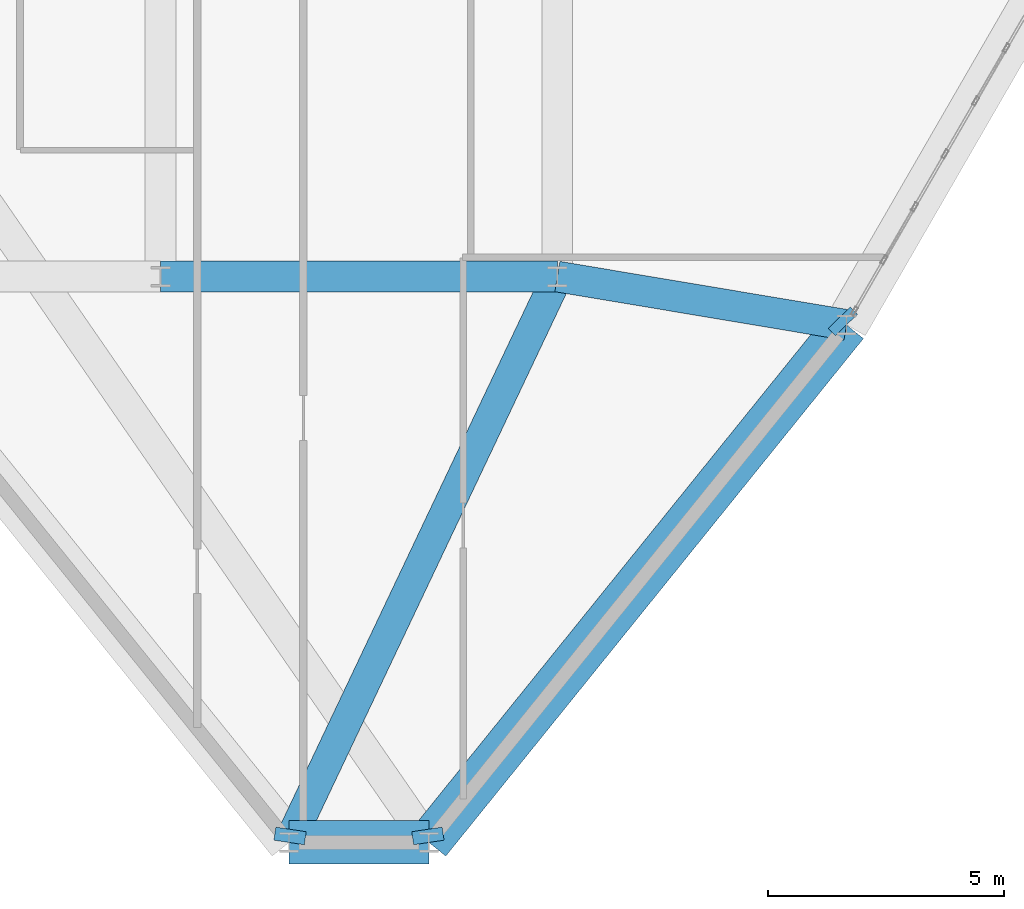
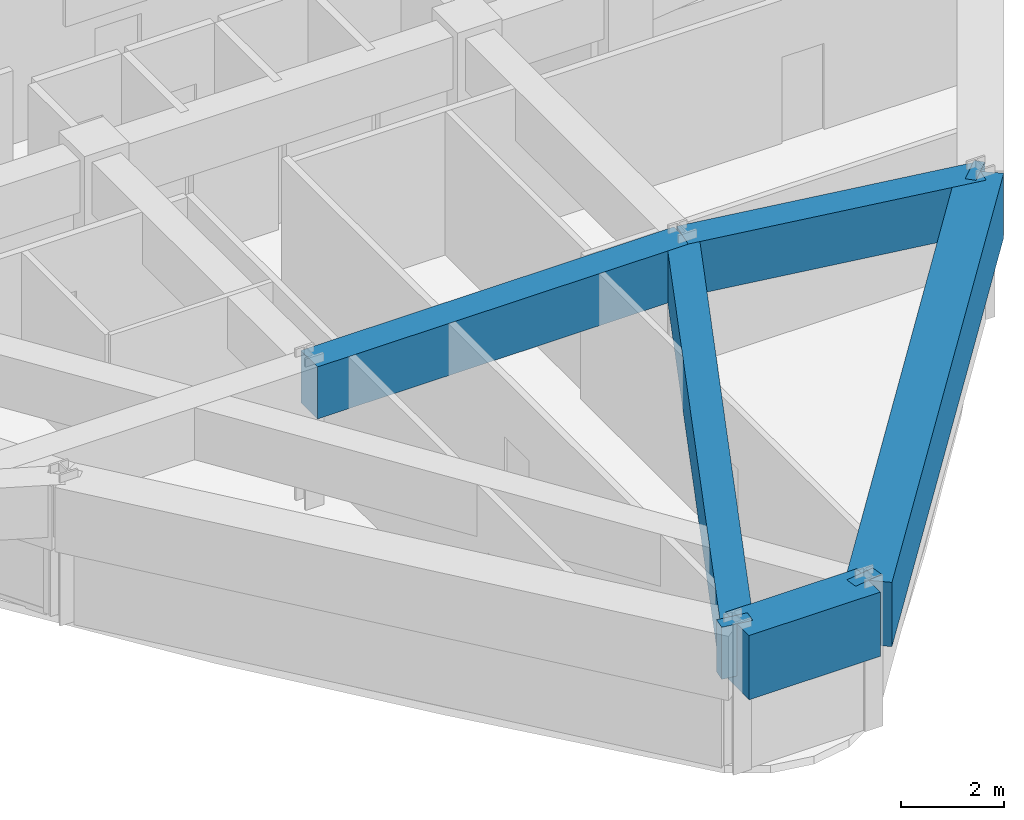
# One storey, part 5 of 19: 8 beams.
"""IFC4 building model written with IfcOpenShell, lengths in metres."""

import ifcopenshell
import ifcopenshell.guid

model = None  # the IFC model being written
_history = None  # IfcOwnerHistory: only IFC2X3 demands one
_inside = {}  # id of a spatial element -> (the spatial element, [elements in it])
_under = {}  # id of a project, library or spatial element -> (it, [spatial elements below it])
_declared = {}  # id of a project -> (the project, [libraries it declares])
_typed = {}  # id of a type object -> (the type object, [elements of that type])
_made_of = {}  # id of a material, layer set ... -> (it, [elements and type objects made of it])


def new_model(schema):
    """Start an empty IFC model of exactly this schema.

    Asked for "IFC4X3", IfcOpenShell would pick the latest addendum, in which some entities
    have other attributes; the version numbers below select the first issue.
    IFC2X3 requires an IfcOwnerHistory on every rooted entity: one is made here for all.
    """
    global model, _history
    if schema == "IFC4X3":
        model = ifcopenshell.file(schema_version=(4, 3, 0, 0))
    else:
        model = ifcopenshell.file(schema=schema)
    _inside.clear()
    _under.clear()
    _declared.clear()
    _typed.clear()
    _made_of.clear()
    _history = None
    if model.schema == "IFC2X3":
        org = make("IfcOrganization", Name="unknown")
        user = make(
            "IfcPersonAndOrganization",
            ThePerson=make("IfcPerson", FamilyName="unknown"),
            TheOrganization=org,
        )
        app = make(
            "IfcApplication",
            ApplicationDeveloper=org,
            Version="unknown",
            ApplicationFullName="unknown",
            ApplicationIdentifier="unknown",
        )
        _history = make(
            "IfcOwnerHistory",
            OwningUser=user,
            OwningApplication=app,
            ChangeAction="ADDED",
            CreationDate=0,
        )
    return model


def make(cls, **values):
    """One entity of the class cls with the attributes given. An attribute that is None is left unset."""
    return model.create_entity(
        cls, **{name: value for name, value in values.items() if value is not None}
    )


def rooted(cls, **values):
    """An entity with a GlobalId (a new one), such as an element, a storey or a relation."""
    return make(cls, GlobalId=ifcopenshell.guid.new(), OwnerHistory=_history, **values)


def si_unit(unit_type, name, prefix=None):
    """IfcSIUnit, for example si_unit("LENGTHUNIT", "METRE", prefix="MILLI")."""
    return make("IfcSIUnit", UnitType=unit_type, Prefix=prefix, Name=name)


def derived_unit(unit_type, elements):
    """IfcDerivedUnit: a product of units, each with its exponent."""
    return make(
        "IfcDerivedUnit",
        Elements=[
            make("IfcDerivedUnitElement", Unit=unit, Exponent=power)
            for unit, power in elements
        ],
        UnitType=unit_type,
    )


def assignment(units):
    """IfcUnitAssignment: the units of a project."""
    return None if units is None else make("IfcUnitAssignment", Units=units)


def point(xyz):
    """IfcCartesianPoint."""
    return None if xyz is None else make("IfcCartesianPoint", Coordinates=xyz)


def direction(xyz):
    """IfcDirection."""
    return None if xyz is None else make("IfcDirection", DirectionRatios=xyz)


def frame(location, z_axis=None, x_axis=None):
    """IfcAxis2Placement3D, a coordinate frame: its origin and axes. An axis left out is left unset."""
    return make(
        "IfcAxis2Placement3D",
        Location=point(location),
        Axis=direction(z_axis),
        RefDirection=direction(x_axis),
    )


def frame_2d(location, x_axis=None):
    """IfcAxis2Placement2D, a coordinate frame in the plane: its origin and x axis."""
    return make(
        "IfcAxis2Placement2D", Location=point(location), RefDirection=direction(x_axis)
    )


def origin():
    """The frame at (0, 0, 0) with its axes left unset."""
    return frame((0.0, 0.0, 0.0))


def origin_2d():
    """The frame at (0, 0) in the plane with its x axis left unset."""
    return frame_2d((0.0, 0.0))


def place(relative_to, where):
    """IfcLocalPlacement: puts the frame where relative to a parent placement (None: the world)."""
    return make(
        "IfcLocalPlacement", PlacementRelTo=relative_to, RelativePlacement=where
    )


def context(
    kind, dimensions, precision=None, world=None, true_north=None, identifier=None
):
    """IfcGeometricRepresentationContext, for example the 3D "Model" context."""
    return make(
        "IfcGeometricRepresentationContext",
        ContextIdentifier=identifier,
        ContextType=kind,
        CoordinateSpaceDimension=dimensions,
        Precision=precision,
        WorldCoordinateSystem=world,
        TrueNorth=true_north,
    )


def subcontext(parent, identifier, kind, view, scale=None):
    """IfcGeometricRepresentationSubContext, for example "Body" below "Model"."""
    return make(
        "IfcGeometricRepresentationSubContext",
        ContextIdentifier=identifier,
        ContextType=kind,
        ParentContext=parent,
        TargetScale=scale,
        TargetView=view,
    )


def project(units=None, contexts=None):
    """IfcProject with its units and contexts."""
    return rooted(
        "IfcProject",
        Name="project",
        RepresentationContexts=contexts,
        UnitsInContext=assignment(units),
    )


def spatial(cls, under=None, at=None, **own):
    """A site, building, storey or space (cls), placed at a placement, below another one or the project."""
    s = rooted(cls, ObjectPlacement=at, **own)
    if under is not None:
        _under.setdefault(under.id(), (under, []))[1].append(s)
    return s


def profile(cls, at=None, kind="AREA", **sizes):
    """A parametric profile (cls). Its sizes go by their IFC names, for example OverallWidth=200.0."""
    return make(cls, ProfileType=kind, Position=at, **sizes)


def rectangle(**sizes):
    """IfcRectangleProfileDef."""
    return profile("IfcRectangleProfileDef", **sizes)


def extrude(swept, where, along, depth):
    """IfcExtrudedAreaSolid: the profile swept, set in the frame where, extruded along a direction by depth."""
    return make(
        "IfcExtrudedAreaSolid",
        SweptArea=swept,
        Position=where,
        ExtrudedDirection=direction(along),
        Depth=depth,
    )


def shape(context_of_items, identifier, shape_type, items):
    """IfcShapeRepresentation: the items that make up one representation, for example the "Body"."""
    return make(
        "IfcShapeRepresentation",
        ContextOfItems=context_of_items,
        RepresentationIdentifier=identifier,
        RepresentationType=shape_type,
        Items=items,
    )


def source(mapping_origin, context_of_items, identifier, shape_type, items):
    """IfcRepresentationMap: a shape defined once, which mapped items show again and again."""
    return make(
        "IfcRepresentationMap",
        MappingOrigin=mapping_origin,
        MappedRepresentation=shape(context_of_items, identifier, shape_type, items),
    )


def transform(
    local_origin,
    x_axis=None,
    y_axis=None,
    z_axis=None,
    scale=None,
    scale2=None,
    scale3=None,
    uniform=True,
):
    """IfcCartesianTransformationOperator3D, or its non-uniform kind. x_axis, y_axis, z_axis: its Axis1, 2, 3."""
    if uniform:
        return make(
            "IfcCartesianTransformationOperator3D",
            Axis1=direction(x_axis),
            Axis2=direction(y_axis),
            LocalOrigin=point(local_origin),
            Scale=scale,
            Axis3=direction(z_axis),
        )
    return make(
        "IfcCartesianTransformationOperator3DnonUniform",
        Axis1=direction(x_axis),
        Axis2=direction(y_axis),
        LocalOrigin=point(local_origin),
        Scale=scale,
        Axis3=direction(z_axis),
        Scale2=scale2,
        Scale3=scale3,
    )


def mapped(mapping_source, mapping_target):
    """IfcMappedItem: shows the shape of a source again, moved by a transform."""
    return make(
        "IfcMappedItem", MappingSource=mapping_source, MappingTarget=mapping_target
    )


def material(Name=None, Category=None):
    """IfcMaterial."""
    return make("IfcMaterial", Name=Name, Category=Category)


def material_profile(
    of_material, cross_section, Name=None, Category=None, Priority=None
):
    """IfcMaterialProfile: a cross section and its material."""
    return make(
        "IfcMaterialProfile",
        Name=Name,
        Material=of_material,
        Profile=cross_section,
        Priority=Priority,
        Category=Category,
    )


def profile_set(profiles, Name=None, composite=None):
    """IfcMaterialProfileSet."""
    return make(
        "IfcMaterialProfileSet",
        Name=Name,
        MaterialProfiles=profiles,
        CompositeProfile=composite,
    )


def made_of(thing, what):
    """Note that an element or type object is made of a material, layer set ...; save() writes the relation."""
    if what is not None:
        _made_of.setdefault(what.id(), (what, []))[1].append(thing)
    return thing


def type_object(cls, material=None, **own):
    """A type object (cls), such as IfcWallType, which elements share."""
    return made_of(rooted(cls, **own), material)


def element(
    cls,
    number,
    at=None,
    inside=None,
    cuts=None,
    type_object=None,
    material=None,
    context=None,
    identifier="Body",
    shape_type=None,
    held_by="IfcProductDefinitionShape",
    body=None,
    shapes=None,
    **own,
):
    """One element of the class cls, such as IfcWall. Its Tag is "e" and its number.

    at: its placement. inside: the storey or other place that contains it. cuts: it is an
    opening in that element (IfcRelVoidsElement). A single representation is given by context,
    identifier, shape_type and body (its items); several are given by shapes. held_by: the class
    of the entity that holds the representations. save() writes the other relations.
    """
    e = rooted(cls, Tag="e%d" % number, ObjectPlacement=at, **own)
    if body is not None:
        shapes = [shape(context, identifier, shape_type, body)]
    if shapes is not None:
        e.Representation = make(held_by, Representations=shapes)
    if inside is not None:
        _inside.setdefault(inside.id(), (inside, []))[1].append(e)
    if cuts is not None:
        rooted(
            "IfcRelVoidsElement", RelatingBuildingElement=cuts, RelatedOpeningElement=e
        )
    if type_object is not None:
        _typed.setdefault(type_object.id(), (type_object, []))[1].append(e)
    return made_of(e, material)


def aggregate(whole, parts):
    """IfcRelAggregates: a whole, such as a stair, and the parts it consists of."""
    return rooted("IfcRelAggregates", RelatingObject=whole, RelatedObjects=parts)


def save(model, path):
    """Write the relations noted so far, then the file.

    IfcRelAggregates (storeys below a building ...), IfcRelContainedInSpatialStructure (elements
    in a storey), IfcRelDefinesByType, IfcRelAssociatesMaterial and IfcRelDeclares: one each for
    every whole, place, type object, material and project.
    """
    for whole, parts in _under.values():
        aggregate(whole, parts)
    for where, things in _inside.values():
        rooted(
            "IfcRelContainedInSpatialStructure",
            RelatedElements=things,
            RelatingStructure=where,
        )
    for kind, things in _typed.values():
        rooted("IfcRelDefinesByType", RelatedObjects=things, RelatingType=kind)
    for what, things in _made_of.values():
        rooted("IfcRelAssociatesMaterial", RelatedObjects=things, RelatingMaterial=what)
    for by, libraries in _declared.values():
        rooted("IfcRelDeclares", RelatingContext=by, RelatedDefinitions=libraries)
    model.write(path)


model = new_model("IFC4")

# Units and contexts
model_context = context("Model", 3, precision=1e-05, world=origin(), true_north=direction((0.0, 1.0)))
body_context = subcontext(model_context, "Body", "Model", "MODEL_VIEW")
ifc_project = project(units=[si_unit("LENGTHUNIT", "METRE"), si_unit("AREAUNIT", "SQUARE_METRE"), si_unit("VOLUMEUNIT", "CUBIC_METRE"), si_unit("PLANEANGLEUNIT", "RADIAN"), si_unit("MASSUNIT", "GRAM", prefix="KILO"), derived_unit("THERMALTRANSMITTANCEUNIT", [(si_unit("POWERUNIT", "WATT"), 1), (si_unit("LENGTHUNIT", "METRE"), -2), (si_unit("THERMODYNAMICTEMPERATUREUNIT", "KELVIN"), -1)])], contexts=[model_context])

# Site, building, storey
site_placement = place(None, origin())
site = spatial("IfcSite", under=ifc_project, at=site_placement, CompositionType="ELEMENT")
building_placement = place(site_placement, origin())
building = spatial("IfcBuilding", under=site, at=building_placement, Name="Korsvarv Bourse and Concert Hall", CompositionType="ELEMENT")
storey_placement = place(building_placement, frame((0.0, 0.0, 223.800048828125)))
storey = spatial("IfcBuildingStorey", under=building, at=storey_placement, Name="L58", CompositionType="ELEMENT", Elevation=223.800048828125)

# Beams
ifc_material = material(Name="Concrete C50/60", Category="concrete")
ifc_material_profile_1 = material_profile(ifc_material, rectangle(XDim=0.64990234375, YDim=1.239990234375, at=origin_2d()), Name="RC-BM 650x1240")
ifc_profile_set_1 = profile_set([ifc_material_profile_1], Name="Concrete C50/60")
beam_type_1 = type_object("IfcBeamType", Name="BM-TR-SPN", PredefinedType="BEAM", material=ifc_profile_set_1)
shared_shape_1 = source(origin(), body_context, "Body", "SweptSolid", [
    extrude(rectangle(XDim=0.64990234375, YDim=1.239990234375, at=origin_2d()), origin(), (0.0, 0.0, 1.0), 8.39990234375),
])
beam_1_placement = place(storey_placement, frame((36.0, 24.0, 2.7900390625), z_axis=(1.0, 0.0, 0.0), x_axis=(0.0, 1.0, 0.0)))
element("IfcBeam", 1, at=beam_1_placement, inside=storey, type_object=beam_type_1, Name="L58 beam B-TRS", PredefinedType="BEAM", context=body_context, shape_type="MappedRepresentation", body=[
    mapped(shared_shape_1, transform((0.0, 0.0, 0.0), scale=1.0)),
])
shared_shape_2 = source(origin(), body_context, "Body", "SweptSolid", [
    extrude(rectangle(XDim=0.64990234375, YDim=1.239990234375, at=origin_2d()), origin(), (0.0, 0.0, 1.0), 0.279052734375),
])
for number, where, z_axis, x_axis, name in (
    (2, (38.72021484375, 12.020263671875, 2.7900390625), (0.148768364729, 0.988872071431, 0.0), (-0.988872071431, 0.148768364729, 0.0), "L58 beam B-TRS"),
    (3, (41.6796875, 12.020263671875, 2.7900390625), (-0.147912457795, 0.989000457446, 0.0), (-0.989000457446, -0.147912457795, 0.0), "L58 beam B-TRS"),
):
    element("IfcBeam", number, at=place(storey_placement, frame(where, z_axis=z_axis, x_axis=x_axis)), inside=storey, type_object=beam_type_1, Name=name, PredefinedType="BEAM", context=body_context, shape_type="MappedRepresentation", body=[
        mapped(shared_shape_2, transform((0.0, 0.0, 0.0), scale=1.0)),
    ])
ifc_material_profile_2 = material_profile(ifc_material, rectangle(XDim=0.919921875, YDim=1.530029296875, at=origin_2d()), Name="RC-BM 920x1530")
ifc_profile_set_2 = profile_set([ifc_material_profile_2], Name="Concrete C50/60")
beam_type_2 = type_object("IfcBeamType", Name="BM-TR-154", PredefinedType="BEAM", material=ifc_profile_set_2)
shared_shape_3 = source(origin(), body_context, "Body", "SweptSolid", [
    extrude(rectangle(XDim=0.919921875, YDim=1.530029296875, at=origin_2d()), origin(), (0.0, 0.0, 1.0), 2.95947265625),
])
beam_2_placement = place(storey_placement, frame((38.72021484375, 12.020263671875, 2.64501953125), z_axis=(1.0, 0.0, 0.0), x_axis=(0.0, 1.0, 0.0)))
element("IfcBeam", 4, at=beam_2_placement, inside=storey, type_object=beam_type_2, Name="L58 beam B-TR6", PredefinedType="BEAM", context=body_context, shape_type="MappedRepresentation", body=[
    mapped(shared_shape_3, transform((0.0, 0.0, 0.0), scale=1.0)),
])
shared_shape_4 = source(origin(), body_context, "Body", "SweptSolid", [
    extrude(rectangle(XDim=0.919921875, YDim=1.530029296875, at=origin_2d()), origin(), (0.0, 0.0, 1.0), 14.077880859375),
])
beam_3_placement = place(storey_placement, frame((41.6796875, 12.020263671875, 2.64501953125), z_axis=(0.627997157863, 0.778215631889, 0.0), x_axis=(-0.778215631889, 0.627997157863, 0.0)))
element("IfcBeam", 5, at=beam_3_placement, inside=storey, type_object=beam_type_2, Name="L58 beam B-TR6", PredefinedType="BEAM", context=body_context, shape_type="MappedRepresentation", body=[
    mapped(shared_shape_4, transform((0.0, 0.0, 0.0), scale=1.0)),
])
shared_shape_5 = source(origin(), body_context, "Body", "SweptSolid", [
    extrude(rectangle(XDim=0.64990234375, YDim=1.239990234375, at=origin_2d()), origin(), (0.0, 0.0, 1.0), 13.258056640625),
])
beam_4_placement = place(storey_placement, frame((38.72021484375, 12.020263671875, 2.7900390625), z_axis=(0.428398993629, 0.903589675825, 0.0), x_axis=(-0.903589675825, 0.428398993629, 0.0)))
element("IfcBeam", 6, at=beam_4_placement, inside=storey, type_object=beam_type_1, Name="L58 beam B-TRS", PredefinedType="BEAM", context=body_context, shape_type="MappedRepresentation", body=[
    mapped(shared_shape_5, transform((0.0, 0.0, 0.0), scale=1.0)),
])
shared_shape_6 = source(origin(), body_context, "Body", "SweptSolid", [
    extrude(rectangle(XDim=0.64990234375, YDim=1.239990234375, at=origin_2d()), origin(), (0.0, 0.0, 1.0), 6.205810546875),
])
beam_5_placement = place(storey_placement, frame((50.5205078125, 22.975830078125, 2.7900390625), z_axis=(-0.986287389578, 0.165036920594, 0.0), x_axis=(-0.165036920594, -0.986287389578, 0.0)))
element("IfcBeam", 7, at=beam_5_placement, inside=storey, type_object=beam_type_1, Name="L58 beam B-TRS", PredefinedType="BEAM", context=body_context, shape_type="MappedRepresentation", body=[
    mapped(shared_shape_6, transform((0.0, 0.0, 0.0), scale=1.0)),
])
shared_shape_7 = source(origin(), body_context, "Body", "SweptSolid", [
    extrude(rectangle(XDim=0.64990234375, YDim=1.239990234375, at=origin_2d()), origin(), (0.0, 0.0, 1.0), 0.216552734375),
])
beam_6_placement = place(storey_placement, frame((50.5205078125, 22.975830078125, 2.7900390625), z_axis=(-0.702581436067, 0.711603348569, 0.0), x_axis=(-0.711603348569, -0.702581436067, 0.0)))
element("IfcBeam", 8, at=beam_6_placement, inside=storey, type_object=beam_type_1, Name="L58 beam B-TRS", PredefinedType="BEAM", context=body_context, shape_type="MappedRepresentation", body=[
    mapped(shared_shape_7, transform((0.0, 0.0, 0.0), scale=1.0)),
])

save(model, "model.ifc")
